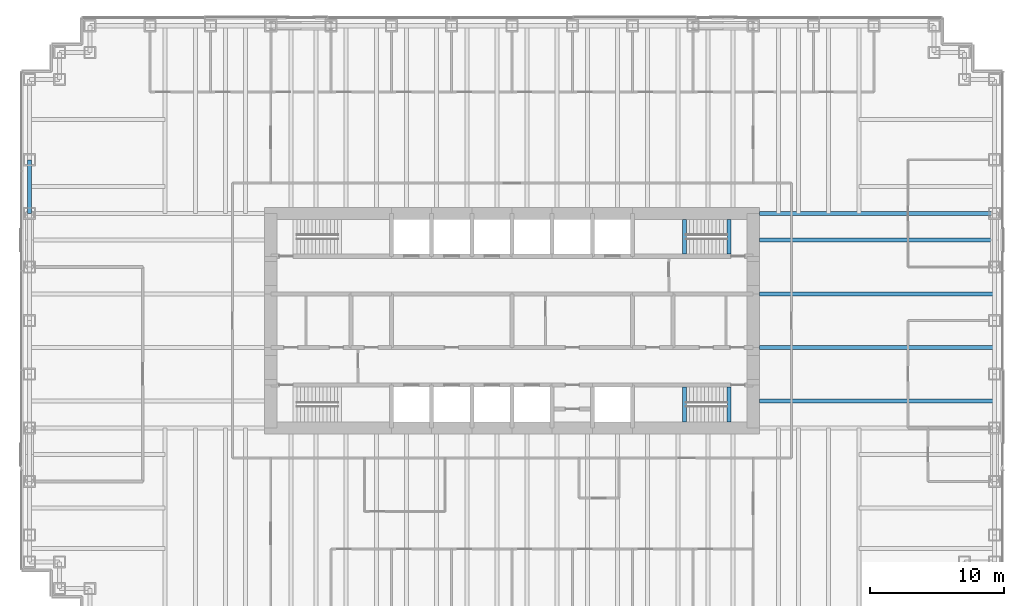
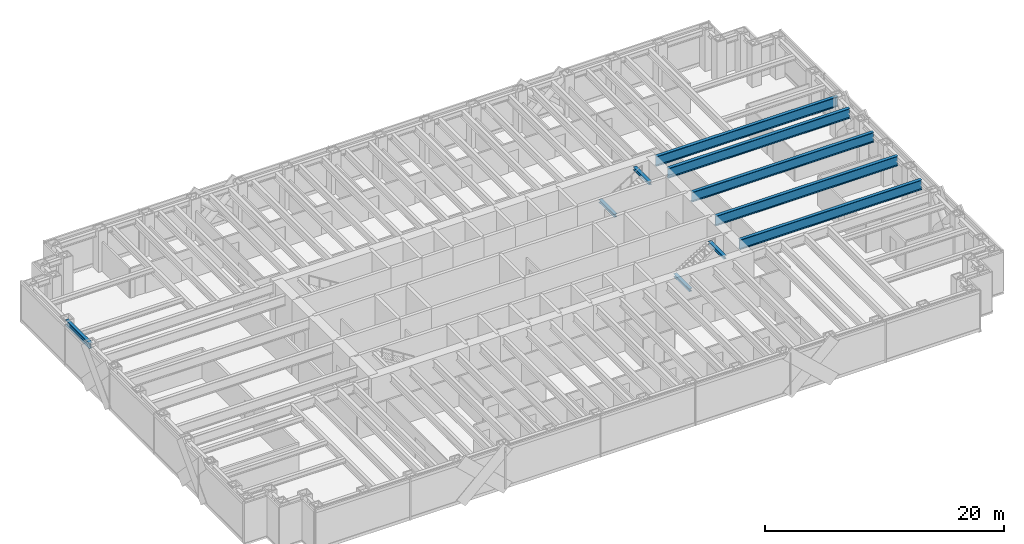
# One storey, part 5 of 19: 10 beams.
"""IFC4 building model written with IfcOpenShell, lengths in metres."""

from ifc_helpers import new_model, si_unit, direction, frame, origin, origin_2d, place, context, subcontext, project, spatial, i_section, extrude, material, material_profile, profile_set, type_object, element, save


model = new_model("IFC4")

# Units and contexts
model_context = context("Model", 3, precision=1e-05, world=origin(), true_north=direction((0.0, 1.0)))
body_context = subcontext(model_context, "Body", "Model", "MODEL_VIEW")
ifc_project = project(units=[si_unit("LENGTHUNIT", "METRE"), si_unit("AREAUNIT", "SQUARE_METRE"), si_unit("VOLUMEUNIT", "CUBIC_METRE"), si_unit("PLANEANGLEUNIT", "RADIAN"), si_unit("MASSUNIT", "GRAM", prefix="KILO")], contexts=[model_context])

# Site, building, storey
site_placement = place(None, origin())
site = spatial("IfcSite", under=ifc_project, at=site_placement, CompositionType="ELEMENT")
building_placement = place(site_placement, origin())
building = spatial("IfcBuilding", under=site, at=building_placement, Name="Rheinbord Bourse Tower", CompositionType="ELEMENT")
storey_placement = place(building_placement, frame((0.0, 0.0, 167.699951171875)))
storey = spatial("IfcBuildingStorey", under=building, at=storey_placement, Name="L37", CompositionType="ELEMENT", Elevation=167.699951171875)

# Beams
ifc_material_1 = material(Name="Steel S460", Category="steel")
ifc_material_profile_1 = material_profile(ifc_material_1, i_section(OverallWidth=0.302001953125, OverallDepth=1.008056640625, WebThickness=0.02099609375, FlangeThickness=0.0400390625, at=origin_2d()), Name="HEM 1000")
ifc_profile_set_1 = profile_set([ifc_material_profile_1], Name="Steel S460")
beam_type_1 = type_object("IfcBeamType", Name="END BEAM HEM 1000", PredefinedType="BEAM", material=ifc_profile_set_1)
for number, where, z_axis, x_axis, name in (
    (1, (54.449951171875, 18.0, 3.5361328125), (1.0, 0.0, 0.0), (0.0, 1.0, 0.0), "End beam east 18 L38"),
    (2, (54.449951171875, 22.0, 3.5361328125), (1.0, 0.0, 0.0), (0.0, 1.0, 0.0), "End beam east 22 L38"),
    (3, (54.449951171875, 26.0, 3.5361328125), (1.0, 0.0, 0.0), (0.0, 1.0, 0.0), "End beam east 26 L38"),
    (4, (54.449951171875, 30.0, 3.5361328125), (1.0, 0.0, 0.0), (0.0, 1.0, 0.0), "End beam east 30 L38"),
):
    element("IfcBeam", number, at=place(storey_placement, frame(where, z_axis=z_axis, x_axis=x_axis)), inside=storey, type_object=beam_type_1, Name=name, PredefinedType="BEAM", context=body_context, shape_type="SweptSolid", body=[
        extrude(i_section(OverallWidth=0.302001953125, OverallDepth=1.008056640625, WebThickness=0.02099609375, FlangeThickness=0.0400390625, at=origin_2d()), origin(), (0.0, 0.0, 1.0), 17.550048828125),
    ])
ifc_material_2 = material(Name="Steel S460", Category="steel")
ifc_material_profile_2 = material_profile(ifc_material_2, i_section(OverallWidth=0.302001953125, OverallDepth=1.008056640625, WebThickness=0.02099609375, FlangeThickness=0.0400390625, at=origin_2d()), Name="HEM 1000")
ifc_profile_set_2 = profile_set([ifc_material_profile_2], Name="Steel S460")
beam_type_2 = type_object("IfcBeamType", Name="GIRDER HEM 1000", PredefinedType="BEAM", material=ifc_profile_set_2)
beam_1_placement = place(storey_placement, frame((54.449951171875, 32.0, 3.5361328125), z_axis=(1.0, 0.0, 0.0), x_axis=(0.0, 1.0, 0.0)))
element("IfcBeam", 5, at=beam_1_placement, inside=storey, type_object=beam_type_2, Name="Girder east 32 L38", PredefinedType="BEAM", context=body_context, shape_type="SweptSolid", body=[
    extrude(i_section(OverallWidth=0.302001953125, OverallDepth=1.008056640625, WebThickness=0.02099609375, FlangeThickness=0.0400390625, at=origin_2d()), origin(), (0.0, 0.0, 1.0), 17.550048828125),
])
ifc_material_3 = material(Name="Steel S460", Category="steel")
ifc_material_profile_3 = material_profile(ifc_material_3, i_section(OverallWidth=0.300048828125, OverallDepth=0.300048828125, WebThickness=0.010986328125, FlangeThickness=0.01904296875, at=origin_2d()), Name="HEB 300")
ifc_profile_set_3 = profile_set([ifc_material_profile_3], Name="Steel S460")
beam_type_3 = type_object("IfcBeamType", Name="LANDING TRIMMER HEB 300", PredefinedType="BEAM", material=ifc_profile_set_3)
for number, where, z_axis, x_axis, name in (
    (6, (48.8701171875, 16.449951171875, 1.75), (0.0, 1.0, 0.0), (-1.0, 0.0, 0.0), "Landing trimmer ST3 L37"),
    (7, (52.199951171875, 16.449951171875, 3.89013671875), (0.0, 1.0, 0.0), (-1.0, 0.0, 0.0), "Well trimmer ST3 under L38"),
    (8, (48.8701171875, 28.949951171875, 1.75), (0.0, 1.0, 0.0), (-1.0, 0.0, 0.0), "Landing trimmer ST4 L37"),
    (9, (52.199951171875, 28.949951171875, 3.89013671875), (0.0, 1.0, 0.0), (-1.0, 0.0, 0.0), "Well trimmer ST4 under L38"),
):
    element("IfcBeam", number, at=place(storey_placement, frame(where, z_axis=z_axis, x_axis=x_axis)), inside=storey, type_object=beam_type_3, Name=name, PredefinedType="BEAM", context=body_context, shape_type="SweptSolid", body=[
        extrude(i_section(OverallWidth=0.300048828125, OverallDepth=0.300048828125, WebThickness=0.010986328125, FlangeThickness=0.01904296875, at=origin_2d()), origin(), (0.0, 0.0, 1.0), 2.60009765625),
    ])
ifc_material_4 = material(Name="Steel S460", Category="steel")
ifc_material_profile_4 = material_profile(ifc_material_4, i_section(OverallWidth=0.305908203125, OverallDepth=0.572021484375, WebThickness=0.02099609375, FlangeThickness=0.0400390625, at=origin_2d()), Name="HEM 550")
ifc_profile_set_4 = profile_set([ifc_material_profile_4], Name="Steel S460")
beam_type_4 = type_object("IfcBeamType", Name="SPANDREL HEM 550", PredefinedType="SPANDREL", material=ifc_profile_set_4)
beam_2_placement = place(storey_placement, frame((0.0, 36.0, 3.754150390625), z_axis=(0.0, -1.0, 0.0), x_axis=(1.0, 0.0, 0.0)))
element("IfcBeam", 10, at=beam_2_placement, inside=storey, type_object=beam_type_4, Name="Spandrel W-36-W-32 under L38", PredefinedType="SPANDREL", context=body_context, shape_type="SweptSolid", body=[
    extrude(i_section(OverallWidth=0.305908203125, OverallDepth=0.572021484375, WebThickness=0.02099609375, FlangeThickness=0.0400390625, at=origin_2d()), origin(), (0.0, 0.0, 1.0), 4.0),
])

save(model, "model.ifc")
